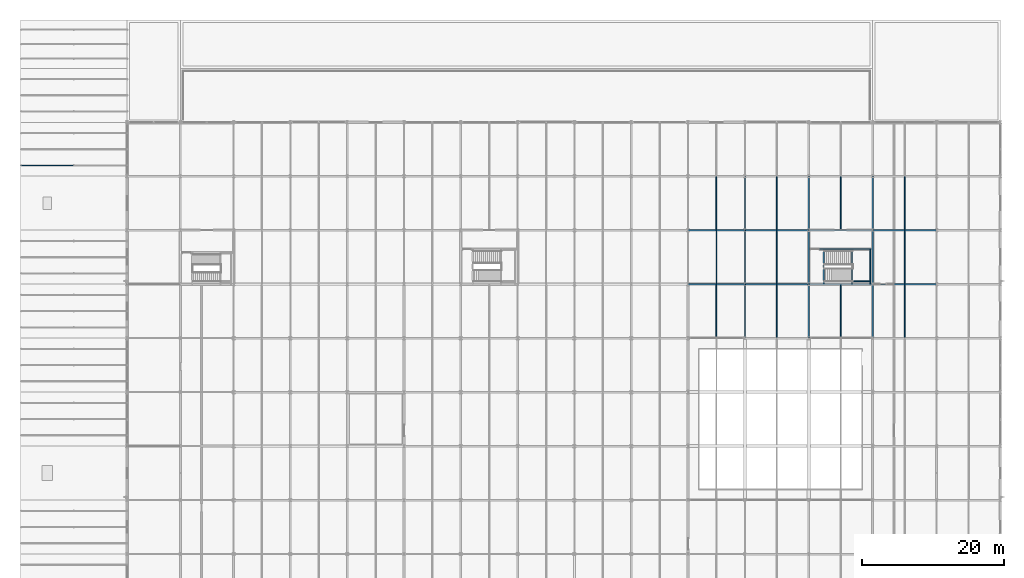
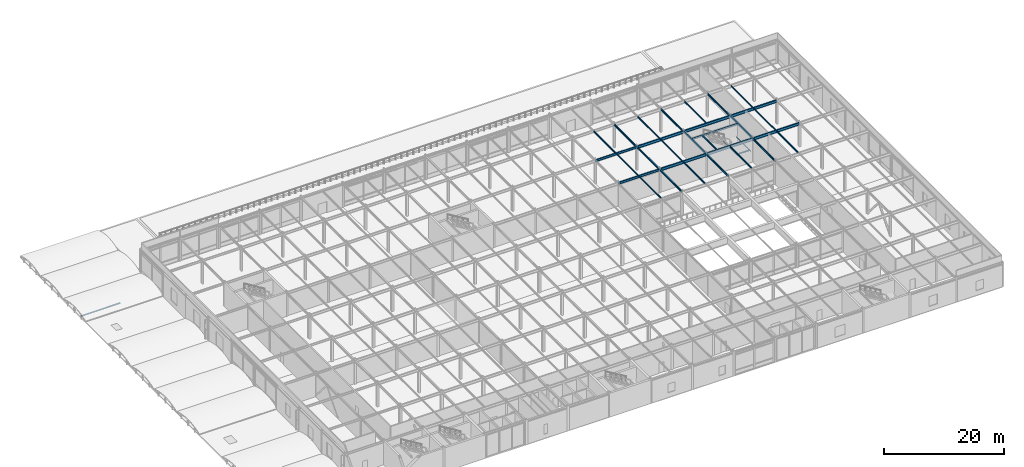
# One storey, part 35 of 79: 33 beams, 1 member.
"""IFC4 building model written with IfcOpenShell, lengths in metres."""

from ifc_helpers import new_model, si_unit, direction, frame, origin, origin_2d, place, context, subcontext, project, spatial, hollow_rectangle, i_section, extrude, material, material_profile, profile_set, type_object, element, save


model = new_model("IFC4")

# Units and contexts
model_context = context("Model", 3, precision=1e-05, world=origin(), true_north=direction((0.0, 1.0)))
body_context = subcontext(model_context, "Body", "Model", "MODEL_VIEW")
ifc_project = project(units=[si_unit("LENGTHUNIT", "METRE"), si_unit("AREAUNIT", "SQUARE_METRE"), si_unit("VOLUMEUNIT", "CUBIC_METRE"), si_unit("PLANEANGLEUNIT", "RADIAN"), si_unit("MASSUNIT", "GRAM", prefix="KILO")], contexts=[model_context])

# Site, building, storey
site_placement = place(None, origin())
site = spatial("IfcSite", under=ifc_project, at=site_placement, CompositionType="ELEMENT")
building_placement = place(site_placement, origin())
building = spatial("IfcBuilding", under=site, at=building_placement, Name="Shalkamar Park Central Library", CompositionType="ELEMENT")
storey_placement = place(building_placement, frame((0.0, 0.0, 10.5)))
storey = spatial("IfcBuildingStorey", under=building, at=storey_placement, Name="L03", CompositionType="ELEMENT", Elevation=10.5)

# Beams
ifc_material = material(Name="Steel S355", Category="steel")
ifc_material_profile_1 = material_profile(ifc_material, i_section(OverallWidth=0.10009765625, OverallDepth=0.199951171875, WebThickness=0.005615234375, FlangeThickness=0.008544921875, FilletRadius=0.011962890625, at=origin_2d()), Name="IPE 200")
ifc_profile_set_1 = profile_set([ifc_material_profile_1], Name="Steel S355")
beam_type_1 = type_object("IfcBeamType", Name="Composite Floor Joist IPE200", PredefinedType="JOIST", material=ifc_profile_set_1)
for number, where, z_axis, x_axis, name in (
    (1, (252.10498046875, 300.800048828125, 2.169921875), (0.0, 1.0, 0.0), (-1.0, 0.0, 0.0), "Stair Half-Landing Beam ST-P4-L03-1"),
    (2, (254.64501953125, 300.800048828125, 2.169921875), (0.0, 1.0, 0.0), (-1.0, 0.0, 0.0), "Stair Half-Landing Beam ST-P4-L03-2"),
):
    element("IfcBeam", number, at=place(storey_placement, frame(where, z_axis=z_axis, x_axis=x_axis)), inside=storey, type_object=beam_type_1, Name=name, PredefinedType="JOIST", context=body_context, shape_type="SweptSolid", body=[
        extrude(i_section(OverallWidth=0.10009765625, OverallDepth=0.199951171875, WebThickness=0.005615234375, FlangeThickness=0.008544921875, FilletRadius=0.011962890625, at=origin_2d()), origin(), (0.0, 0.0, 1.0), 4.949951171875),
    ])
beam_1_placement = place(storey_placement, frame((252.10498046875, 301.22509765625, 2.169921875), z_axis=(1.0, 0.0, 0.0), x_axis=(0.0, 1.0, 0.0)))
element("IfcBeam", 3, at=beam_1_placement, inside=storey, type_object=beam_type_1, Name="Stair Half-Landing Cross Tie ST-P4-L03-3", PredefinedType="JOIST", context=body_context, shape_type="SweptSolid", body=[
    extrude(i_section(OverallWidth=0.10009765625, OverallDepth=0.199951171875, WebThickness=0.005615234375, FlangeThickness=0.008544921875, FilletRadius=0.011962890625, at=origin_2d()), origin(), (0.0, 0.0, 1.0), 2.5400390625),
])
ifc_material_profile_2 = material_profile(ifc_material, i_section(OverallWidth=0.1201171875, OverallDepth=0.239990234375, WebThickness=0.006103515625, FlangeThickness=0.009765625, FilletRadius=0.014892578125, at=origin_2d()), Name="IPE 240")
ifc_profile_set_2 = profile_set([ifc_material_profile_2], Name="Steel S355")
beam_type_2 = type_object("IfcBeamType", Name="Composite Floor Joist IPE240", PredefinedType="JOIST", material=ifc_profile_set_2)
beam_2_placement = place(storey_placement, frame((233.0, 300.89306640625, 4.719970703125), z_axis=(0.0, 1.0, 0.0), x_axis=(-1.0, 0.0, 0.0)))
element("IfcBeam", 4, at=beam_2_placement, inside=storey, type_object=beam_type_2, Name="Composite Joist 15/J-1 (L03)", PredefinedType="JOIST", context=body_context, shape_type="SweptSolid", body=[
    extrude(i_section(OverallWidth=0.1201171875, OverallDepth=0.239990234375, WebThickness=0.006103515625, FlangeThickness=0.009765625, FilletRadius=0.014892578125, at=origin_2d()), origin(), (0.0, 0.0, 1.0), 7.413818359375),
])
for number, where, z_axis, x_axis, name in (
    (5, (241.5, 300.903076171875, 4.719970703125), (0.0, 1.0, 0.0), (-1.0, 0.0, 0.0), "Composite Joist 16/J-1 (L03)"),
    (6, (259.5, 300.903076171875, 4.719970703125), (0.0, 1.0, 0.0), (-1.0, 0.0, 0.0), "Composite Joist 18/J-1 (L03)"),
):
    element("IfcBeam", number, at=place(storey_placement, frame(where, z_axis=z_axis, x_axis=x_axis)), inside=storey, type_object=beam_type_2, Name=name, PredefinedType="JOIST", context=body_context, shape_type="SweptSolid", body=[
        extrude(i_section(OverallWidth=0.1201171875, OverallDepth=0.239990234375, WebThickness=0.006103515625, FlangeThickness=0.009765625, FilletRadius=0.014892578125, at=origin_2d()), origin(), (0.0, 0.0, 1.0), 7.39404296875),
    ])
ifc_material_profile_3 = material_profile(ifc_material, i_section(OverallWidth=0.135009765625, OverallDepth=0.27001953125, WebThickness=0.006591796875, FlangeThickness=0.01025390625, FilletRadius=0.014892578125, at=origin_2d()), Name="IPE 270")
ifc_profile_set_3 = profile_set([ifc_material_profile_3], Name="Steel S355")
beam_type_3 = type_object("IfcBeamType", Name="Composite Floor Joist IPE270", PredefinedType="JOIST", material=ifc_profile_set_3)
for number, where, z_axis, x_axis, name in (
    (7, (233.0, 293.29296875, 4.705078125), (0.0, 1.0, 0.0), (-1.0, 0.0, 0.0), "Composite Joist 15/H-1 (L03)"),
    (8, (233.0, 308.492919921875, 4.705078125), (0.0, 1.0, 0.0), (-1.0, 0.0, 0.0), "Composite Joist 15/K-1 (L03)"),
):
    element("IfcBeam", number, at=place(storey_placement, frame(where, z_axis=z_axis, x_axis=x_axis)), inside=storey, type_object=beam_type_3, Name=name, PredefinedType="JOIST", context=body_context, shape_type="SweptSolid", body=[
        extrude(i_section(OverallWidth=0.135009765625, OverallDepth=0.27001953125, WebThickness=0.006591796875, FlangeThickness=0.01025390625, FilletRadius=0.014892578125, at=origin_2d()), origin(), (0.0, 0.0, 1.0), 7.4140625),
    ])
for number, where, z_axis, x_axis, name in (
    (9, (241.5, 293.302978515625, 4.705078125), (0.0, 1.0, 0.0), (-1.0, 0.0, 0.0), "Composite Joist 16/H-1 (L03)"),
    (10, (241.5, 308.5029296875, 4.705078125), (0.0, 1.0, 0.0), (-1.0, 0.0, 0.0), "Composite Joist 16/K-1 (L03)"),
    (11, (250.5, 293.302978515625, 4.705078125), (0.0, 1.0, 0.0), (-1.0, 0.0, 0.0), "Composite Joist 17/H-1 (L03)"),
    (12, (250.5, 308.5029296875, 4.705078125), (0.0, 1.0, 0.0), (-1.0, 0.0, 0.0), "Composite Joist 17/K-1 (L03)"),
    (13, (259.5, 293.302978515625, 4.705078125), (0.0, 1.0, 0.0), (-1.0, 0.0, 0.0), "Composite Joist 18/H-1 (L03)"),
    (14, (259.5, 308.5029296875, 4.705078125), (0.0, 1.0, 0.0), (-1.0, 0.0, 0.0), "Composite Joist 18/K-1 (L03)"),
):
    element("IfcBeam", number, at=place(storey_placement, frame(where, z_axis=z_axis, x_axis=x_axis)), inside=storey, type_object=beam_type_3, Name=name, PredefinedType="JOIST", context=body_context, shape_type="SweptSolid", body=[
        extrude(i_section(OverallWidth=0.135009765625, OverallDepth=0.27001953125, WebThickness=0.006591796875, FlangeThickness=0.01025390625, FilletRadius=0.014892578125, at=origin_2d()), origin(), (0.0, 0.0, 1.0), 7.39404296875),
    ])
ifc_material_profile_4 = material_profile(ifc_material, i_section(OverallWidth=0.169921875, OverallDepth=0.360107421875, WebThickness=0.008056640625, FlangeThickness=0.0126953125, FilletRadius=0.01806640625, at=origin_2d()), Name="IPE 360")
ifc_profile_set_4 = profile_set([ifc_material_profile_4], Name="Steel S355")
beam_type_4 = type_object("IfcBeamType", Name="Primary Girder IPE360", PredefinedType="BEAM", material=ifc_profile_set_4)
beam_3_placement = place(storey_placement, frame((237.0, 293.199951171875, 4.659912109375), z_axis=(0.0, 1.0, 0.0), x_axis=(-1.0, 0.0, 0.0)))
element("IfcBeam", 15, at=beam_3_placement, inside=storey, type_object=beam_type_4, Name="Beam 16:H-J (L03)", PredefinedType="BEAM", context=body_context, shape_type="SweptSolid", body=[
    extrude(i_section(OverallWidth=0.169921875, OverallDepth=0.360107421875, WebThickness=0.008056640625, FlangeThickness=0.0126953125, FilletRadius=0.01806640625, at=origin_2d()), origin(), (0.0, 0.0, 1.0), 7.60009765625),
])
beam_4_placement = place(storey_placement, frame((237.0, 300.800048828125, 4.659912109375), z_axis=(0.0, 1.0, 0.0), x_axis=(-1.0, 0.0, 0.0)))
element("IfcBeam", 16, at=beam_4_placement, inside=storey, type_object=beam_type_4, Name="Beam 16:J-K (L03)", PredefinedType="BEAM", context=body_context, shape_type="SweptSolid", body=[
    extrude(i_section(OverallWidth=0.169921875, OverallDepth=0.360107421875, WebThickness=0.008056640625, FlangeThickness=0.0126953125, FilletRadius=0.01806640625, at=origin_2d()), origin(), (0.0, 0.0, 1.0), 7.599853515625),
])
for number, where, z_axis, x_axis, name in (
    (17, (237.0, 308.39990234375, 4.659912109375), (0.0, 1.0, 0.0), (-1.0, 0.0, 0.0), "Beam 16:K-L (L03)"),
    (18, (246.0, 293.199951171875, 4.659912109375), (0.0, 1.0, 0.0), (-1.0, 0.0, 0.0), "Beam 17:H-J (L03)"),
):
    element("IfcBeam", number, at=place(storey_placement, frame(where, z_axis=z_axis, x_axis=x_axis)), inside=storey, type_object=beam_type_4, Name=name, PredefinedType="BEAM", context=body_context, shape_type="SweptSolid", body=[
        extrude(i_section(OverallWidth=0.169921875, OverallDepth=0.360107421875, WebThickness=0.008056640625, FlangeThickness=0.0126953125, FilletRadius=0.01806640625, at=origin_2d()), origin(), (0.0, 0.0, 1.0), 7.60009765625),
    ])
beam_5_placement = place(storey_placement, frame((246.0, 300.800048828125, 4.659912109375), z_axis=(0.0, 1.0, 0.0), x_axis=(-1.0, 0.0, 0.0)))
element("IfcBeam", 19, at=beam_5_placement, inside=storey, type_object=beam_type_4, Name="Beam 17:J-K (L03)", PredefinedType="BEAM", context=body_context, shape_type="SweptSolid", body=[
    extrude(i_section(OverallWidth=0.169921875, OverallDepth=0.360107421875, WebThickness=0.008056640625, FlangeThickness=0.0126953125, FilletRadius=0.01806640625, at=origin_2d()), origin(), (0.0, 0.0, 1.0), 7.599853515625),
])
for number, where, z_axis, x_axis, name in (
    (20, (246.0, 308.39990234375, 4.659912109375), (0.0, 1.0, 0.0), (-1.0, 0.0, 0.0), "Beam 17:K-L (L03)"),
    (21, (255.0, 293.199951171875, 4.659912109375), (0.0, 1.0, 0.0), (-1.0, 0.0, 0.0), "Beam 18:H-J (L03)"),
):
    element("IfcBeam", number, at=place(storey_placement, frame(where, z_axis=z_axis, x_axis=x_axis)), inside=storey, type_object=beam_type_4, Name=name, PredefinedType="BEAM", context=body_context, shape_type="SweptSolid", body=[
        extrude(i_section(OverallWidth=0.169921875, OverallDepth=0.360107421875, WebThickness=0.008056640625, FlangeThickness=0.0126953125, FilletRadius=0.01806640625, at=origin_2d()), origin(), (0.0, 0.0, 1.0), 7.60009765625),
    ])
beam_6_placement = place(storey_placement, frame((255.0, 300.800048828125, 4.659912109375), z_axis=(0.0, 1.0, 0.0), x_axis=(-1.0, 0.0, 0.0)))
element("IfcBeam", 22, at=beam_6_placement, inside=storey, type_object=beam_type_4, Name="Beam 18:J-K (L03)", PredefinedType="BEAM", context=body_context, shape_type="SweptSolid", body=[
    extrude(i_section(OverallWidth=0.169921875, OverallDepth=0.360107421875, WebThickness=0.008056640625, FlangeThickness=0.0126953125, FilletRadius=0.01806640625, at=origin_2d()), origin(), (0.0, 0.0, 1.0), 7.599853515625),
])
beam_7_placement = place(storey_placement, frame((255.0, 308.39990234375, 4.659912109375), z_axis=(0.0, 1.0, 0.0), x_axis=(-1.0, 0.0, 0.0)))
element("IfcBeam", 23, at=beam_7_placement, inside=storey, type_object=beam_type_4, Name="Beam 18:K-L (L03)", PredefinedType="BEAM", context=body_context, shape_type="SweptSolid", body=[
    extrude(i_section(OverallWidth=0.169921875, OverallDepth=0.360107421875, WebThickness=0.008056640625, FlangeThickness=0.0126953125, FilletRadius=0.01806640625, at=origin_2d()), origin(), (0.0, 0.0, 1.0), 7.60009765625),
])
beam_8_placement = place(storey_placement, frame((246.087890625, 305.75, 4.659912109375), z_axis=(1.0, 0.0, 0.0), x_axis=(0.0, 1.0, 0.0)))
element("IfcBeam", 24, at=beam_8_placement, inside=storey, type_object=beam_type_4, Name="CORE-P4 Stairwell Divider Beam (L03)", PredefinedType="BEAM", context=body_context, shape_type="SweptSolid", body=[
    extrude(i_section(OverallWidth=0.169921875, OverallDepth=0.360107421875, WebThickness=0.008056640625, FlangeThickness=0.0126953125, FilletRadius=0.01806640625, at=origin_2d()), origin(), (0.0, 0.0, 1.0), 8.82421875),
])
ifc_material_profile_5 = material_profile(ifc_material, i_section(OverallWidth=0.18994140625, OverallDepth=0.449951171875, WebThickness=0.009521484375, FlangeThickness=0.0146484375, FilletRadius=0.02099609375, at=origin_2d()), Name="IPE 450")
ifc_profile_set_5 = profile_set([ifc_material_profile_5], Name="Steel S355")
beam_type_5 = type_object("IfcBeamType", Name="Primary Girder IPE450", PredefinedType="BEAM", material=ifc_profile_set_5)
for number, where, z_axis, x_axis, name in (
    (25, (229.0, 300.800048828125, 4.614990234375), (1.0, 0.0, 0.0), (0.0, 1.0, 0.0), "Beam J:15-16 (L03)"),
    (26, (229.0, 308.39990234375, 4.614990234375), (1.0, 0.0, 0.0), (0.0, 1.0, 0.0), "Beam K:15-16 (L03)"),
):
    element("IfcBeam", number, at=place(storey_placement, frame(where, z_axis=z_axis, x_axis=x_axis)), inside=storey, type_object=beam_type_5, Name=name, PredefinedType="BEAM", context=body_context, shape_type="SweptSolid", body=[
        extrude(i_section(OverallWidth=0.18994140625, OverallDepth=0.449951171875, WebThickness=0.009521484375, FlangeThickness=0.0146484375, FilletRadius=0.02099609375, at=origin_2d()), origin(), (0.0, 0.0, 1.0), 8.0),
    ])
ifc_material_profile_6 = material_profile(ifc_material, i_section(OverallWidth=0.2099609375, OverallDepth=0.550048828125, WebThickness=0.010986328125, FlangeThickness=0.01708984375, FilletRadius=0.02392578125, at=origin_2d()), Name="IPE 550")
ifc_profile_set_6 = profile_set([ifc_material_profile_6], Name="Steel S355")
beam_type_6 = type_object("IfcBeamType", Name="Primary Girder IPE550", PredefinedType="BEAM", material=ifc_profile_set_6)
for number, where, z_axis, x_axis, name in (
    (27, (237.0, 300.800048828125, 4.56494140625), (1.0, 0.0, 0.0), (0.0, 1.0, 0.0), "Beam J:16-17 (L03)"),
    (28, (246.0, 300.800048828125, 4.56494140625), (1.0, 0.0, 0.0), (0.0, 1.0, 0.0), "Beam J:17-18 (L03)"),
    (29, (255.0, 300.800048828125, 4.56494140625), (1.0, 0.0, 0.0), (0.0, 1.0, 0.0), "Beam J:18-19 (L03)"),
    (30, (237.0, 308.39990234375, 4.56494140625), (1.0, 0.0, 0.0), (0.0, 1.0, 0.0), "Beam K:16-17 (L03)"),
    (31, (246.0, 308.39990234375, 4.56494140625), (1.0, 0.0, 0.0), (0.0, 1.0, 0.0), "Beam K:17-18 (L03)"),
    (32, (255.0, 308.39990234375, 4.56494140625), (1.0, 0.0, 0.0), (0.0, 1.0, 0.0), "Beam K:18-19 (L03)"),
):
    element("IfcBeam", number, at=place(storey_placement, frame(where, z_axis=z_axis, x_axis=x_axis)), inside=storey, type_object=beam_type_6, Name=name, PredefinedType="BEAM", context=body_context, shape_type="SweptSolid", body=[
        extrude(i_section(OverallWidth=0.2099609375, OverallDepth=0.550048828125, WebThickness=0.010986328125, FlangeThickness=0.01708984375, FilletRadius=0.02392578125, at=origin_2d()), origin(), (0.0, 0.0, 1.0), 9.0),
    ])

# Member
ifc_material_profile_7 = material_profile(ifc_material, i_section(OverallWidth=0.091064453125, OverallDepth=0.179931640625, WebThickness=0.00537109375, FlangeThickness=0.008056640625, FilletRadius=0.009033203125, at=origin_2d()), Name="IPE 180")
ifc_profile_set_7 = profile_set([ifc_material_profile_7], Name="Steel S355")
member_type = type_object("IfcMemberType", Name="Roof Purlin IPE180", PredefinedType="PURLIN", material=ifc_profile_set_7)
member_placement = place(storey_placement, frame((135.0, 317.52001953125, 0.330810546875), z_axis=(1.0, 0.0, 0.0), x_axis=(0.0, 1.0, 0.0)))
element("IfcMember", 33, at=member_placement, inside=storey, type_object=member_type, Name="Barrel Roof Purlin BV-L02-W8-1.03", PredefinedType="PURLIN", context=body_context, shape_type="SweptSolid", body=[
    extrude(i_section(OverallWidth=0.091064453125, OverallDepth=0.179931640625, WebThickness=0.00537109375, FlangeThickness=0.008056640625, FilletRadius=0.009033203125, at=origin_2d()), origin(), (0.0, 0.0, 1.0), 7.5),
])

# Beam
ifc_material_profile_8 = material_profile(ifc_material, hollow_rectangle(XDim=0.199951171875, YDim=0.300048828125, WallThickness=0.011962890625, InnerFilletRadius=0.011962890625, OuterFilletRadius=0.01806640625, at=origin_2d()), Name="RHS 300x200x12")
ifc_profile_set_8 = profile_set([ifc_material_profile_8], Name="Steel S355")
beam_type_7 = type_object("IfcBeamType", Name="Stair Trimmer Box RHS300x200", PredefinedType="BEAM", material=ifc_profile_set_8)
beam_9_placement = place(storey_placement, frame((248.125, 300.800048828125, 4.68994140625), z_axis=(0.0, 1.0, 0.0), x_axis=(-1.0, 0.0, 0.0)))
element("IfcBeam", 34, at=beam_9_placement, inside=storey, type_object=beam_type_7, Name="Stair Arrival Trimmer Girder ST-P4-L03", PredefinedType="BEAM", context=body_context, shape_type="SweptSolid", body=[
    extrude(hollow_rectangle(XDim=0.199951171875, YDim=0.300048828125, WallThickness=0.011962890625, InnerFilletRadius=0.011962890625, OuterFilletRadius=0.01806640625, at=origin_2d()), origin(), (0.0, 0.0, 1.0), 4.949951171875),
])

save(model, "model.ifc")
